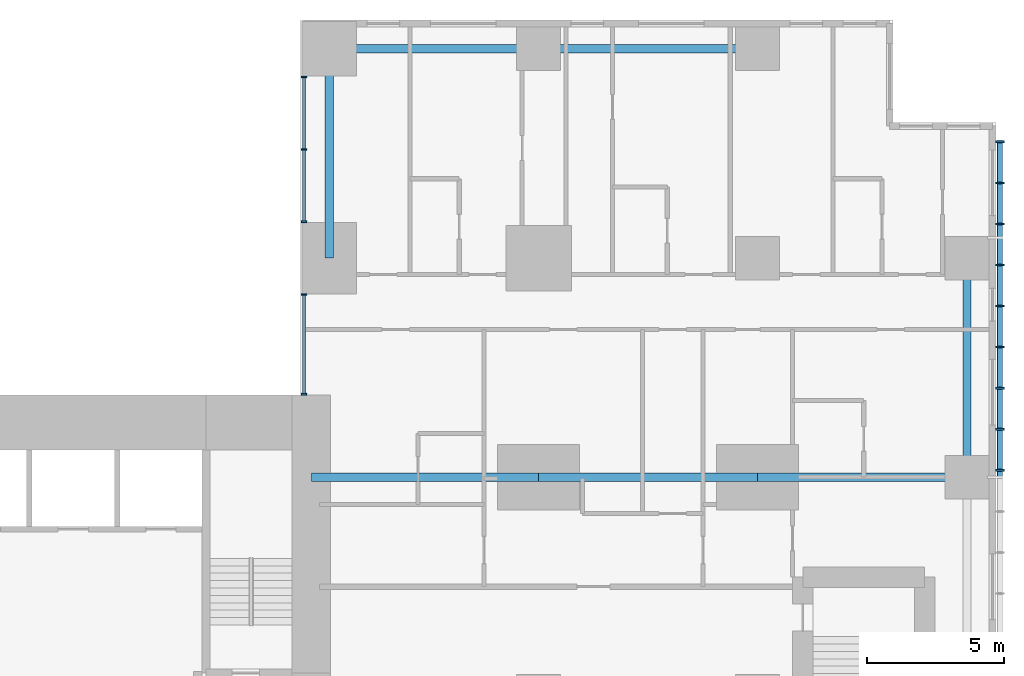
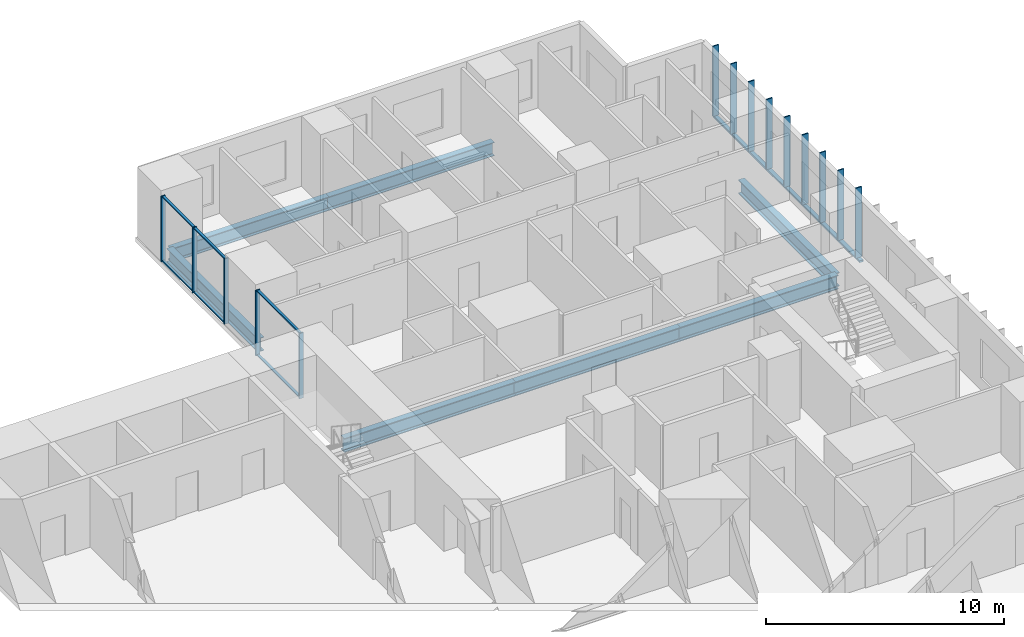
# One storey, part 3 of 12: 21 members, 7 beams, 2 elements without a shape of their own.
"""IFC4 building model written with IfcOpenShell, lengths in metres."""

from ifc_helpers import new_model, si_unit, direction, frame, origin, origin_2d, place, context, subcontext, project, spatial, rectangle, hollow_rectangle, i_section, extrude, material, layer, layer_set, material_profile, profile_set, type_object, element, aggregate, save


model = new_model("IFC4")

# Units and contexts
model_context = context("Model", 3, precision=1e-05, world=origin(), true_north=direction((0.0, 1.0)))
body_context = subcontext(model_context, "Body", "Model", "MODEL_VIEW")
ifc_project = project(units=[si_unit("LENGTHUNIT", "METRE"), si_unit("AREAUNIT", "SQUARE_METRE"), si_unit("VOLUMEUNIT", "CUBIC_METRE"), si_unit("PLANEANGLEUNIT", "RADIAN"), si_unit("MASSUNIT", "GRAM", prefix="KILO")], contexts=[model_context])

# Site, building, storey
site_placement = place(None, origin())
site = spatial("IfcSite", under=ifc_project, at=site_placement, CompositionType="ELEMENT")
building_placement = place(site_placement, origin())
building = spatial("IfcBuilding", under=site, at=building_placement, Name="Cleftline Residences", CompositionType="ELEMENT")
storey_placement = place(building_placement, frame((0.0, 0.0, 259.199951171875)))
storey = spatial("IfcBuildingStorey", under=building, at=storey_placement, Name="L68", CompositionType="ELEMENT", Elevation=259.199951171875)

# Member
ifc_material_1 = material(Name="Steel S355, hot-dip galvanised", Category="steel")
ifc_material_profile_1 = material_profile(ifc_material_1, hollow_rectangle(XDim=0.10009765625, YDim=0.199951171875, WallThickness=0.008056640625, InnerFilletRadius=0.008056640625, OuterFilletRadius=0.011962890625, at=origin_2d()))
ifc_profile_set_1 = profile_set([ifc_material_profile_1], Name="Steel S355, hot-dip galvanised")
member_type_1 = type_object("IfcMemberType", Name="BAGUETTE CARRIER RHS 200X100X8", PredefinedType="USERDEFINED", material=ifc_profile_set_1)
member_1_placement = place(storey_placement, frame((66.85009765625, 32.0, -0.050048828125), z_axis=(0.0, 1.0, 0.0), x_axis=(0.0, 0.0, 1.0)))
element("IfcMember", 1, at=member_1_placement, inside=storey, type_object=member_type_1, Name="Baguette carrier", ObjectType="BAGUETTE CARRIER", PredefinedType="USERDEFINED", context=body_context, shape_type="SweptSolid", body=[
    extrude(hollow_rectangle(XDim=0.10009765625, YDim=0.199951171875, WallThickness=0.008056640625, InnerFilletRadius=0.008056640625, OuterFilletRadius=0.011962890625, at=origin_2d()), origin(), (0.0, 0.0, 1.0), 12.300048828125),
])

# Beams
ifc_material_2 = material(Name="Steel S355", Category="steel")
ifc_material_profile_2 = material_profile(ifc_material_2, i_section(OverallWidth=0.300048828125, OverallDepth=0.699951171875, WebThickness=0.01708984375, FlangeThickness=0.031982421875, FilletRadius=0.027099609375, at=origin_2d()))
ifc_profile_set_2 = profile_set([ifc_material_profile_2], Name="Steel S355")
beam_type_1 = type_object("IfcBeamType", Name="BEAM HEB 700", PredefinedType="BEAM", material=ifc_profile_set_2)
for number, where, z_axis, x_axis, name in (
    (2, (65.64990234375, 32.0, -0.599853515625), (0.0, 1.0, 0.0), (-1.0, 0.0, 0.0), "Edge beam"),
    (3, (58.0, 47.64990234375, -0.599853515625), (-1.0, 0.0, 0.0), (0.0, -1.0, 0.0), "Edge beam"),
):
    element("IfcBeam", number, at=place(storey_placement, frame(where, z_axis=z_axis, x_axis=x_axis)), inside=storey, type_object=beam_type_1, Name=name, PredefinedType="BEAM", context=body_context, shape_type="SweptSolid", body=[
        extrude(i_section(OverallWidth=0.300048828125, OverallDepth=0.699951171875, WebThickness=0.01708984375, FlangeThickness=0.031982421875, FilletRadius=0.027099609375, at=origin_2d()), origin(), (0.0, 0.0, 1.0), 8.0),
    ])
for number, where, z_axis, x_axis, name in (
    (4, (50.0, 47.64990234375, -0.599853515625), (-1.0, 0.0, 0.0), (0.0, -1.0, 0.0), "Edge beam"),
    (5, (42.35009765625, 47.64990234375, -0.599853515625), (0.0, -1.0, 0.0), (1.0, 0.0, 0.0), "Edge beam"),
):
    element("IfcBeam", number, at=place(storey_placement, frame(where, z_axis=z_axis, x_axis=x_axis)), inside=storey, type_object=beam_type_1, Name=name, PredefinedType="BEAM", context=body_context, shape_type="SweptSolid", body=[
        extrude(i_section(OverallWidth=0.300048828125, OverallDepth=0.699951171875, WebThickness=0.01708984375, FlangeThickness=0.031982421875, FilletRadius=0.027099609375, at=origin_2d()), origin(), (0.0, 0.0, 1.0), 7.64990234375),
    ])
ifc_material_3 = material(Name="Steel S355", Category="steel")
ifc_material_profile_3 = material_profile(ifc_material_3, i_section(OverallWidth=0.303955078125, OverallDepth=0.716064453125, WebThickness=0.02099609375, FlangeThickness=0.0400390625, FilletRadius=0.027099609375, at=origin_2d()))
ifc_profile_set_3 = profile_set([ifc_material_profile_3], Name="Steel S355")
beam_type_2 = type_object("IfcBeamType", Name="BEAM HEM 700", PredefinedType="BEAM", material=ifc_profile_set_3)
beam_1_placement = place(storey_placement, frame((65.64990234375, 32.0, -0.60791015625), z_axis=(-1.0, 0.0, 0.0), x_axis=(0.0, -1.0, 0.0)))
element("IfcBeam", 6, at=beam_1_placement, inside=storey, type_object=beam_type_2, Name="Band beam", PredefinedType="BEAM", context=body_context, shape_type="SweptSolid", body=[
    extrude(i_section(OverallWidth=0.303955078125, OverallDepth=0.716064453125, WebThickness=0.02099609375, FlangeThickness=0.0400390625, FilletRadius=0.027099609375, at=origin_2d()), origin(), (0.0, 0.0, 1.0), 7.64990234375),
])
beam_2_placement = place(storey_placement, frame((58.0, 32.0, -0.60791015625), z_axis=(-1.0, 0.0, 0.0), x_axis=(0.0, -1.0, 0.0)))
element("IfcBeam", 7, at=beam_2_placement, inside=storey, type_object=beam_type_2, Name="Band beam", PredefinedType="BEAM", context=body_context, shape_type="SweptSolid", body=[
    extrude(i_section(OverallWidth=0.303955078125, OverallDepth=0.716064453125, WebThickness=0.02099609375, FlangeThickness=0.0400390625, FilletRadius=0.027099609375, at=origin_2d()), origin(), (0.0, 0.0, 1.0), 8.0),
])
beam_3_placement = place(storey_placement, frame((50.0, 32.0, -0.60791015625), z_axis=(-1.0, 0.0, 0.0), x_axis=(0.0, -1.0, 0.0)))
element("IfcBeam", 8, at=beam_3_placement, inside=storey, type_object=beam_type_2, Name="Band beam", PredefinedType="BEAM", context=body_context, shape_type="SweptSolid", body=[
    extrude(i_section(OverallWidth=0.303955078125, OverallDepth=0.716064453125, WebThickness=0.02099609375, FlangeThickness=0.0400390625, FilletRadius=0.027099609375, at=origin_2d()), origin(), (0.0, 0.0, 1.0), 8.300048828125),
])

# Curtain wall, members
ifc_material_4 = material(Name="Aluminium framed curtain wall", Category="aluminium")
ifc_layer = layer(ifc_material_4, 0.199951171875)
ifc_layer_set = layer_set([ifc_layer], Name="CW1 CLEFT GLAZING")
curtain_wall_type = type_object("IfcCurtainWallType", Name="CW1 CLEFT GLAZING", PredefinedType="NOTDEFINED", material=ifc_layer_set)
curtain_wall_1_placement = place(storey_placement, origin())
curtain_wall_1 = element("IfcCurtainWall", 9, at=curtain_wall_1_placement, inside=storey, type_object=curtain_wall_type, Name="Curtain wall CW1", PredefinedType="NOTDEFINED")
ifc_material_5 = material(Name="Aluminium mullion", Category="aluminium")
ifc_material_profile_4 = material_profile(ifc_material_5, rectangle(XDim=0.199951171875, YDim=0.06005859375, at=origin_2d()))
ifc_profile_set_4 = profile_set([ifc_material_profile_4], Name="Aluminium mullion")
member_type_2 = type_object("IfcMemberType", Name="CW1 MULLION", PredefinedType="MULLION", material=ifc_profile_set_4)
member_2_placement = place(storey_placement, frame((41.425048828125, 46.6201171875, 0.0), z_axis=(0.0, 0.0, 1.0), x_axis=(1.0, 0.0, 0.0)))
member_2 = element("IfcMember", 10, at=member_2_placement, type_object=member_type_2, Name="CW1 mullion 1", PredefinedType="MULLION", context=body_context, shape_type="SweptSolid", body=[
    extrude(rectangle(XDim=0.199951171875, YDim=0.06005859375, at=origin_2d()), origin(), (0.0, 0.0, 1.0), 3.35009765625),
])
member_3_placement = place(storey_placement, frame((41.425048828125, 43.97509765625, 0.0), z_axis=(0.0, 0.0, 1.0), x_axis=(1.0, 0.0, 0.0)))
member_3 = element("IfcMember", 11, at=member_3_placement, type_object=member_type_2, Name="CW1 mullion 2", PredefinedType="MULLION", context=body_context, shape_type="SweptSolid", body=[
    extrude(rectangle(XDim=0.199951171875, YDim=0.06005859375, at=origin_2d()), origin(), (0.0, 0.0, 1.0), 3.35009765625),
])
member_4_placement = place(storey_placement, frame((41.425048828125, 41.330078125, 0.0), z_axis=(0.0, 0.0, 1.0), x_axis=(1.0, 0.0, 0.0)))
member_4 = element("IfcMember", 12, at=member_4_placement, type_object=member_type_2, Name="CW1 mullion 3", PredefinedType="MULLION", context=body_context, shape_type="SweptSolid", body=[
    extrude(rectangle(XDim=0.199951171875, YDim=0.06005859375, at=origin_2d()), origin(), (0.0, 0.0, 1.0), 3.35009765625),
])

curtain_wall_2_placement = place(storey_placement, origin())
curtain_wall_2 = element("IfcCurtainWall", 13, at=curtain_wall_2_placement, inside=storey, type_object=curtain_wall_type, Name="Curtain wall CW1", PredefinedType="NOTDEFINED")
member_5_placement = place(storey_placement, frame((41.425048828125, 38.669921875, 0.0), z_axis=(0.0, 0.0, 1.0), x_axis=(1.0, 0.0, 0.0)))
member_5 = element("IfcMember", 14, at=member_5_placement, type_object=member_type_2, Name="CW1 mullion 1", PredefinedType="MULLION", context=body_context, shape_type="SweptSolid", body=[
    extrude(rectangle(XDim=0.199951171875, YDim=0.06005859375, at=origin_2d()), origin(), (0.0, 0.0, 1.0), 3.35009765625),
])
member_6_placement = place(storey_placement, frame((41.425048828125, 35.030029296875, 0.0), z_axis=(0.0, 0.0, 1.0), x_axis=(1.0, 0.0, 0.0)))
member_6 = element("IfcMember", 15, at=member_6_placement, type_object=member_type_2, Name="CW1 mullion 2", PredefinedType="MULLION", context=body_context, shape_type="SweptSolid", body=[
    extrude(rectangle(XDim=0.199951171875, YDim=0.06005859375, at=origin_2d()), origin(), (0.0, 0.0, 1.0), 3.35009765625),
])

# Member
ifc_material_6 = material(Name="Aluminium transom", Category="aluminium")
ifc_material_profile_5 = material_profile(ifc_material_6, rectangle(XDim=0.1201171875, YDim=0.06005859375, at=origin_2d()))
ifc_profile_set_5 = profile_set([ifc_material_profile_5], Name="Aluminium transom")
member_type_3 = type_object("IfcMemberType", Name="CW1 TRANSOM", PredefinedType="USERDEFINED", material=ifc_profile_set_5)
member_7_placement = place(storey_placement, frame((41.425048828125, 46.590087890625, 0.030029296875), z_axis=(0.0, -1.0, 0.0), x_axis=(1.0, 0.0, 0.0)))
member_7 = element("IfcMember", 16, at=member_7_placement, type_object=member_type_3, Name="CW1 transom 1.1", ObjectType="TRANSOM", PredefinedType="USERDEFINED", context=body_context, shape_type="SweptSolid", body=[
    extrude(rectangle(XDim=0.1201171875, YDim=0.06005859375, at=origin_2d()), origin(), (0.0, 0.0, 1.0), 2.585205078125),
])

member_8_placement = place(storey_placement, frame((41.425048828125, 46.590087890625, 3.320068359375), z_axis=(0.0, -1.0, 0.0), x_axis=(1.0, 0.0, 0.0)))
member_8 = element("IfcMember", 17, at=member_8_placement, type_object=member_type_3, Name="CW1 transom 1.2", ObjectType="TRANSOM", PredefinedType="USERDEFINED", context=body_context, shape_type="SweptSolid", body=[
    extrude(rectangle(XDim=0.1201171875, YDim=0.06005859375, at=origin_2d()), origin(), (0.0, 0.0, 1.0), 2.585205078125),
])

member_9_placement = place(storey_placement, frame((41.425048828125, 43.945068359375, 0.030029296875), z_axis=(0.0, -1.0, 0.0), x_axis=(1.0, 0.0, 0.0)))
member_9 = element("IfcMember", 18, at=member_9_placement, type_object=member_type_3, Name="CW1 transom 2.1", ObjectType="TRANSOM", PredefinedType="USERDEFINED", context=body_context, shape_type="SweptSolid", body=[
    extrude(rectangle(XDim=0.1201171875, YDim=0.06005859375, at=origin_2d()), origin(), (0.0, 0.0, 1.0), 2.5849609375),
])

member_10_placement = place(storey_placement, frame((41.425048828125, 43.945068359375, 3.320068359375), z_axis=(0.0, -1.0, 0.0), x_axis=(1.0, 0.0, 0.0)))
member_10 = element("IfcMember", 19, at=member_10_placement, type_object=member_type_3, Name="CW1 transom 2.2", ObjectType="TRANSOM", PredefinedType="USERDEFINED", context=body_context, shape_type="SweptSolid", body=[
    extrude(rectangle(XDim=0.1201171875, YDim=0.06005859375, at=origin_2d()), origin(), (0.0, 0.0, 1.0), 2.5849609375),
])

aggregate(curtain_wall_1, [member_2, member_3, member_4, member_7, member_8, member_9, member_10])

member_11_placement = place(storey_placement, frame((41.425048828125, 38.639892578125, 0.030029296875), z_axis=(0.0, -1.0, 0.0), x_axis=(1.0, 0.0, 0.0)))
member_11 = element("IfcMember", 20, at=member_11_placement, type_object=member_type_3, Name="CW1 transom 1.1", ObjectType="TRANSOM", PredefinedType="USERDEFINED", context=body_context, shape_type="SweptSolid", body=[
    extrude(rectangle(XDim=0.1201171875, YDim=0.06005859375, at=origin_2d()), origin(), (0.0, 0.0, 1.0), 3.579833984375),
])

member_12_placement = place(storey_placement, frame((41.425048828125, 38.639892578125, 3.320068359375), z_axis=(0.0, -1.0, 0.0), x_axis=(1.0, 0.0, 0.0)))
member_12 = element("IfcMember", 21, at=member_12_placement, type_object=member_type_3, Name="CW1 transom 1.2", ObjectType="TRANSOM", PredefinedType="USERDEFINED", context=body_context, shape_type="SweptSolid", body=[
    extrude(rectangle(XDim=0.1201171875, YDim=0.06005859375, at=origin_2d()), origin(), (0.0, 0.0, 1.0), 3.579833984375),
])

aggregate(curtain_wall_2, [member_5, member_6, member_11, member_12])

# Members
ifc_material_7 = material(Name="Extruded terracotta", Category="masonry")
ifc_material_profile_6 = material_profile(ifc_material_7, rectangle(XDim=0.06005859375, YDim=0.300048828125, at=origin_2d()))
ifc_profile_set_6 = profile_set([ifc_material_profile_6], Name="Extruded terracotta")
member_type_4 = type_object("IfcMemberType", Name="TERRACOTTA BAGUETTE 60X300", PredefinedType="USERDEFINED", material=ifc_profile_set_6)
for number, where, z_axis, x_axis, name in (
    (22, (66.85009765625, 32.25, 0.0), (0.0, 0.0, 1.0), (0.0, 1.0, 0.0), "Terracotta baguette"),
    (23, (66.85009765625, 33.75, 0.0), (0.0, 0.0, 1.0), (0.0, 1.0, 0.0), "Terracotta baguette"),
    (24, (66.85009765625, 35.25, 0.0), (0.0, 0.0, 1.0), (0.0, 1.0, 0.0), "Terracotta baguette"),
    (25, (66.85009765625, 36.75, 0.0), (0.0, 0.0, 1.0), (0.0, 1.0, 0.0), "Terracotta baguette"),
    (26, (66.85009765625, 38.25, 0.0), (0.0, 0.0, 1.0), (0.0, 1.0, 0.0), "Terracotta baguette"),
    (27, (66.85009765625, 39.75, 0.0), (0.0, 0.0, 1.0), (0.0, 1.0, 0.0), "Terracotta baguette"),
    (28, (66.85009765625, 41.25, 0.0), (0.0, 0.0, 1.0), (0.0, 1.0, 0.0), "Terracotta baguette"),
    (29, (66.85009765625, 42.75, 0.0), (0.0, 0.0, 1.0), (0.0, 1.0, 0.0), "Terracotta baguette"),
    (30, (66.85009765625, 44.25, 0.0), (0.0, 0.0, 1.0), (0.0, 1.0, 0.0), "Terracotta baguette"),
):
    element("IfcMember", number, at=place(storey_placement, frame(where, z_axis=z_axis, x_axis=x_axis)), inside=storey, type_object=member_type_4, Name=name, ObjectType="BAGUETTE", PredefinedType="USERDEFINED", context=body_context, shape_type="SweptSolid", body=[
        extrude(rectangle(XDim=0.06005859375, YDim=0.300048828125, at=origin_2d()), origin(), (0.0, 0.0, 1.0), 3.60009765625),
    ])

save(model, "model.ifc")
